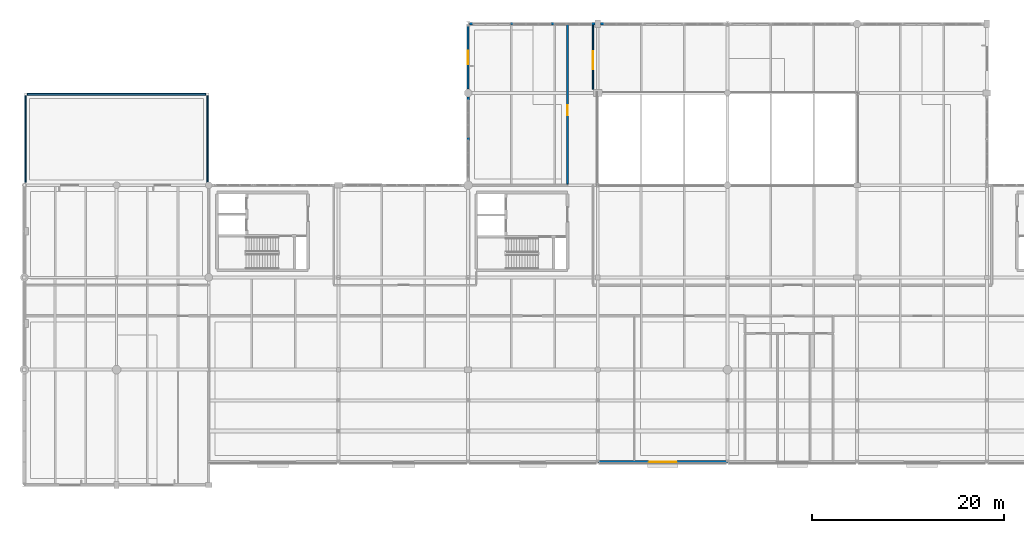
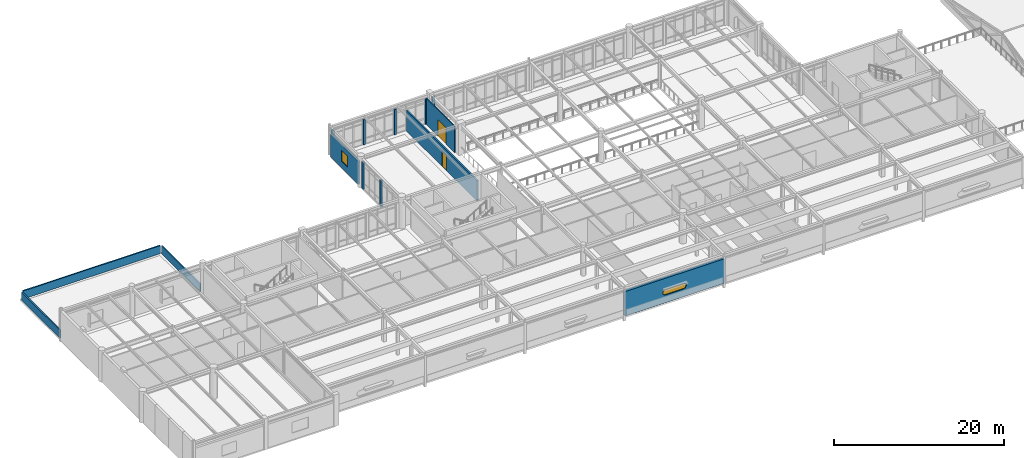
# One storey, part 48 of 61: 14 walls, 2 doors, 2 windows, 4 openings.
"""IFC4 building model written with IfcOpenShell, lengths in metres."""

from ifc_helpers import new_model, si_unit, direction, frame, frame_2d, origin, place, context, subcontext, project, spatial, polyline, rectangle, outline, extrude, material, layer, layer_set, type_object, element, fill, save


model = new_model("IFC4")

# Units and contexts
model_context = context("Model", 3, precision=1e-05, world=origin(), true_north=direction((0.0, 1.0)))
body_context = subcontext(model_context, "Body", "Model", "MODEL_VIEW")
ifc_project = project(units=[si_unit("LENGTHUNIT", "METRE"), si_unit("AREAUNIT", "SQUARE_METRE"), si_unit("VOLUMEUNIT", "CUBIC_METRE"), si_unit("PLANEANGLEUNIT", "RADIAN"), si_unit("MASSUNIT", "GRAM", prefix="KILO")], contexts=[model_context])

# Site, building, storey
site_placement = place(None, origin())
site = spatial("IfcSite", under=ifc_project, at=site_placement, CompositionType="ELEMENT")
building_placement = place(site_placement, origin())
building = spatial("IfcBuilding", under=site, at=building_placement, Name="Fikremerkos Civic Library", CompositionType="ELEMENT")
storey_placement = place(building_placement, frame((0.0, 0.0, 14.39990234375)))
storey = spatial("IfcBuildingStorey", under=building, at=storey_placement, Name="L03", CompositionType="ELEMENT", Elevation=14.39990234375)

# Wall, opening, window
ifc_material_1 = material(Name="Precast concrete C40/50", Category="concrete")
ifc_layer_1 = layer(ifc_material_1, 0.280029296875, Name="Precast concrete C40/50")
ifc_layer_set_1 = layer_set([ifc_layer_1], Name="Precast concrete C40/50")
wall_type_1 = type_object("IfcWallType", Name="Exterior solid wall ESW-04 280", PredefinedType="SOLIDWALL", material=ifc_layer_set_1)
wall_1_placement = place(storey_placement, frame((73.197998046875, 2.39990234375, 0.0), z_axis=(0.0, 0.0, 1.0), x_axis=(-1.0, 0.0, 0.0)))
wall_1 = element("IfcWall", 1, at=wall_1_placement, inside=storey, type_object=wall_type_1, Name="Cantilever concrete band wall ESW-04 L03 #598", PredefinedType="SOLIDWALL", context=body_context, shape_type="SweptSolid", body=[
    extrude(rectangle(XDim=13.49609375, YDim=0.280029296875, at=frame_2d((6.748046875, 0.0))), origin(), (0.0, 0.0, 1.0), 3.5),
])
opening_1_placement = place(wall_1_placement, frame((5.14794921875, 0.0, 1.10009765625)))
opening_1 = element("IfcOpeningElement", 2, at=opening_1_placement, cuts=wall_1, Name="Opening SW-06", PredefinedType="OPENING", context=body_context, shape_type="SweptSolid", body=[
    extrude(outline(polyline([(0.39990234375, 0.800048828125), (0.26318359375, 0.77587890625), (0.142822265625, 0.70654296875), (0.0537109375, 0.60009765625), (0.006103515625, 0.469482421875), (0.006103515625, 0.33056640625), (0.0537109375, 0.199951171875), (0.142822265625, 0.093505859375), (0.26318359375, 0.024169921875), (0.39990234375, 0.0), (2.7998046875, 0.0), (2.936767578125, 0.024169921875), (3.05712890625, 0.093505859375), (3.146240234375, 0.199951171875), (3.19384765625, 0.33056640625), (3.19384765625, 0.469482421875), (3.146240234375, 0.60009765625), (3.05712890625, 0.70654296875), (2.936767578125, 0.77587890625), (2.7998046875, 0.800048828125), (0.39990234375, 0.800048828125)])), frame((0.0, 0.14990234375, 0.0), z_axis=(0.0, -1.0, 0.0), x_axis=(1.0, 0.0, 0.0)), (0.0, 0.0, 1.0), 0.300048828125),
])
ifc_material_2 = material(Name="Solar control double glazing", Category="glass")
window_type_1 = type_object("IfcWindowType", Name="Facade slot window SW-06 3200x800", PartitioningType="SINGLE_PANEL", PredefinedType="WINDOW", material=ifc_material_2)
window_1_placement = place(opening_1_placement, origin())
window_1 = element("IfcWindow", 3, at=window_1_placement, inside=storey, type_object=window_type_1, Name="Rounded-end facade slot window SW-06 L03 #18", OverallHeight=0.800048828125, OverallWidth=3.199951171875, PartitioningType="SINGLE_PANEL", PredefinedType="WINDOW", context=body_context, shape_type="SweptSolid", body=[
    extrude(outline(polyline([(0.39990234375, 0.800048828125), (0.26318359375, 0.77587890625), (0.142822265625, 0.70654296875), (0.0537109375, 0.60009765625), (0.006103515625, 0.469482421875), (0.006103515625, 0.33056640625), (0.0537109375, 0.199951171875), (0.142822265625, 0.093505859375), (0.26318359375, 0.024169921875), (0.39990234375, 0.0), (2.7998046875, 0.0), (2.936767578125, 0.024169921875), (3.05712890625, 0.093505859375), (3.146240234375, 0.199951171875), (3.19384765625, 0.33056640625), (3.19384765625, 0.469482421875), (3.146240234375, 0.60009765625), (3.05712890625, 0.70654296875), (2.936767578125, 0.77587890625), (2.7998046875, 0.800048828125), (0.39990234375, 0.800048828125)])), frame((0.0, 0.032470703125, 0.0), z_axis=(0.0, -1.0, 0.0), x_axis=(1.0, 0.0, 0.0)), (0.0, 0.0, 1.0), 0.06494140625),
])
fill(opening_1, window_1)

# Walls
ifc_layer_2 = layer(ifc_material_1, 0.25, Name="Precast concrete C40/50")
ifc_layer_set_2 = layer_set([ifc_layer_2], Name="Precast concrete C40/50")
wall_type_2 = type_object("IfcWallType", Name="Exterior solid wall ESW-05 250", PredefinedType="SOLIDWALL", material=ifc_layer_set_2)
wall_2_placement = place(storey_placement, frame((46.199951171875, 40.052001953125, 0.0), z_axis=(0.0, 0.0, 1.0), x_axis=(0.0, 1.0, 0.0)))
element("IfcWall", 4, at=wall_2_placement, inside=storey, type_object=wall_type_2, Name="Exterior facade pier ESW-05 #563", PredefinedType="SOLIDWALL", context=body_context, shape_type="SweptSolid", body=[
    extrude(rectangle(XDim=0.35009765625, YDim=0.25, at=frame_2d((0.175048828125, 0.0))), origin(), (0.0, 0.0, 1.0), 3.820068359375),
])
wall_3_placement = place(storey_placement, frame((46.199951171875, 35.875, 0.0), z_axis=(0.0, 0.0, 1.0), x_axis=(0.0, 1.0, 0.0)))
element("IfcWall", 5, at=wall_3_placement, inside=storey, type_object=wall_type_2, Name="Exterior facade mullion pier ESW-05 #564", PredefinedType="SOLIDWALL", context=body_context, shape_type="SweptSolid", body=[
    extrude(rectangle(XDim=0.300048828125, YDim=0.25, at=frame_2d((0.14990234375, 0.0))), origin(), (0.0, 0.0, 1.0), 3.820068359375),
])
for number, where, z_axis, x_axis, name in (
    (6, (46.347900390625, 48.0, 0.0), (0.0, 0.0, 1.0), (1.0, 0.0, 0.0), "Exterior facade pier ESW-05 #566"),
    (7, (59.052001953125, 48.0, 0.0), (0.0, 0.0, 1.0), (1.0, 0.0, 0.0), "Exterior facade pier ESW-05 #567"),
):
    element("IfcWall", number, at=place(storey_placement, frame(where, z_axis=z_axis, x_axis=x_axis)), inside=storey, type_object=wall_type_2, Name=name, PredefinedType="SOLIDWALL", context=body_context, shape_type="SweptSolid", body=[
        extrude(rectangle(XDim=0.35009765625, YDim=0.25, at=frame_2d((0.175048828125, 0.0))), origin(), (0.0, 0.0, 1.0), 3.610107421875),
    ])
for number, where, z_axis, x_axis, name in (
    (8, (50.615966796875, 48.0, 0.0), (0.0, 0.0, 1.0), (1.0, 0.0, 0.0), "Exterior facade mullion pier ESW-05 #568"),
    (9, (54.833984375, 48.0, 0.0), (0.0, 0.0, 1.0), (1.0, 0.0, 0.0), "Exterior facade mullion pier ESW-05 #569"),
):
    element("IfcWall", number, at=place(storey_placement, frame(where, z_axis=z_axis, x_axis=x_axis)), inside=storey, type_object=wall_type_2, Name=name, PredefinedType="SOLIDWALL", context=body_context, shape_type="SweptSolid", body=[
        extrude(rectangle(XDim=0.300048828125, YDim=0.25, at=frame_2d((0.14990234375, 0.0))), origin(), (0.0, 0.0, 1.0), 3.610107421875),
    ])
wall_4_placement = place(storey_placement, frame((59.998046875, 48.0, 0.0), z_axis=(0.0, 0.0, 1.0), x_axis=(1.0, 0.0, 0.0)))
element("IfcWall", 10, at=wall_4_placement, inside=storey, type_object=wall_type_2, Name="Exterior facade pier ESW-05 #570", PredefinedType="SOLIDWALL", context=body_context, shape_type="SweptSolid", body=[
    extrude(rectangle(XDim=0.349853515625, YDim=0.25, at=frame_2d((0.1748046875, 0.0))), origin(), (0.0, 0.0, 1.0), 3.610107421875),
])

# Wall, opening, window
ifc_layer_3 = layer(ifc_material_1, 0.219970703125, Name="Precast concrete C40/50")
ifc_layer_set_3 = layer_set([ifc_layer_3], Name="Precast concrete C40/50")
wall_type_3 = type_object("IfcWallType", Name="Exterior solid wall ESW-06 220", PredefinedType="SOLIDWALL", material=ifc_layer_set_3)
wall_5_placement = place(storey_placement, frame((46.199951171875, 41.197998046875, 0.0), z_axis=(0.0, 0.0, 1.0), x_axis=(0.0, 1.0, 0.0)))
wall_5 = element("IfcWall", 11, at=wall_5_placement, inside=storey, type_object=wall_type_3, Name="Exterior solid wall ESW-06 L03 #565", PredefinedType="SOLIDWALL", context=body_context, shape_type="SweptSolid", body=[
    extrude(rectangle(XDim=6.5791015625, YDim=0.219970703125, at=frame_2d((3.28955078125, 0.0))), origin(), (0.0, 0.0, 1.0), 3.320068359375),
])
opening_2_placement = place(wall_5_placement, frame((2.589599609375, 0.0, 0.949951171875)))
opening_2 = element("IfcOpeningElement", 12, at=opening_2_placement, cuts=wall_5, Name="Opening CWND-06", PredefinedType="OPENING", context=body_context, shape_type="SweptSolid", body=[
    extrude(rectangle(XDim=1.39990234375, YDim=1.550048828125, at=frame_2d((0.699951171875, 0.77490234375))), frame((0.0, 0.119873046875, 0.0), z_axis=(0.0, -1.0, 0.0), x_axis=(1.0, 0.0, 0.0)), (0.0, 0.0, 1.0), 0.239990234375),
])
window_type_2 = type_object("IfcWindowType", Name="Courtyard window CWND-06 1400x1550", PartitioningType="SINGLE_PANEL", PredefinedType="WINDOW", material=ifc_material_2)
window_2_placement = place(opening_2_placement, origin())
window_2 = element("IfcWindow", 13, at=window_2_placement, inside=storey, type_object=window_type_2, Name="Courtyard window CWND-06 L03 #38", OverallHeight=1.550048828125, OverallWidth=1.39990234375, PartitioningType="SINGLE_PANEL", PredefinedType="WINDOW", context=body_context, shape_type="SweptSolid", body=[
    extrude(rectangle(XDim=1.39990234375, YDim=1.550048828125, at=frame_2d((0.699951171875, 0.77490234375))), frame((0.0, 0.032470703125, 0.0), z_axis=(0.0, -1.0, 0.0), x_axis=(1.0, 0.0, 0.0)), (0.0, 0.0, 1.0), 0.06494140625),
])
fill(opening_2, window_2)

# Wall, opening, door
ifc_material_3 = material(Name="Acoustic concrete blockwork", Category="masonry")
ifc_layer_4 = layer(ifc_material_3, 0.18994140625, Name="Acoustic concrete blockwork")
ifc_layer_set_4 = layer_set([ifc_layer_4], Name="Acoustic concrete blockwork")
wall_type_4 = type_object("IfcWallType", Name="Interior partition wall IPW-01 190", PredefinedType="PARTITIONING", material=ifc_layer_set_4)
wall_6_placement = place(storey_placement, frame((56.550048828125, 31.304931640625, 0.0), z_axis=(0.0, 0.0, 1.0), x_axis=(0.0, 1.0, 0.0)))
wall_6 = element("IfcWall", 14, at=wall_6_placement, inside=storey, type_object=wall_type_4, Name="Interior wall IPW-01 L03 #224", PredefinedType="PARTITIONING", context=body_context, shape_type="SweptSolid", body=[
    extrude(rectangle(XDim=16.612060546875, YDim=0.18994140625, at=frame_2d((8.30615234375, 0.0))), origin(), (0.0, 0.0, 1.0), 2.9501953125),
])
opening_3_placement = place(wall_6_placement, frame((7.195068359375, 0.0, 0.0)))
opening_3 = element("IfcOpeningElement", 15, at=opening_3_placement, cuts=wall_6, Name="Opening D239", PredefinedType="OPENING", context=body_context, shape_type="SweptSolid", body=[
    extrude(rectangle(XDim=1.0, YDim=2.199951171875, at=frame_2d((0.5, 1.10009765625))), frame((0.0, 0.10498046875, 0.0), z_axis=(0.0, -1.0, 0.0), x_axis=(1.0, 0.0, 0.0)), (0.0, 0.0, 1.0), 0.2099609375),
])
ifc_material_4 = material(Name="Hardwood timber and acoustic glass", Category="wood")
door_type_1 = type_object("IfcDoorType", Name="Pedestrian door DT-01 1000x2200", OperationType="NOTDEFINED", PredefinedType="DOOR", material=ifc_material_4)
door_1_placement = place(opening_3_placement, origin())
door_1 = element("IfcDoor", 16, at=door_1_placement, inside=storey, type_object=door_type_1, Name="Interior door D239 L03", OperationType="SINGLE_SWING_LEFT", OverallHeight=2.199951171875, OverallWidth=1.0, PredefinedType="DOOR", context=body_context, shape_type="SweptSolid", body=[
    extrude(rectangle(XDim=1.0, YDim=2.199951171875, at=frame_2d((0.5, 1.10009765625))), frame((0.0, 0.032470703125, 0.0), z_axis=(0.0, -1.0, 0.0), x_axis=(1.0, 0.0, 0.0)), (0.0, 0.0, 1.0), 0.06494140625),
])
fill(opening_3, door_1)

ifc_material_5 = material(Name="Gypsum metal stud partition")
ifc_layer_5 = layer(ifc_material_5, 0.1298828125, Name="Gypsum metal stud partition")
ifc_layer_set_5 = layer_set([ifc_layer_5], Name="Gypsum metal stud partition")
wall_type_5 = type_object("IfcWallType", Name="Interior partition wall IPW-03 130", PredefinedType="PARTITIONING", material=ifc_layer_set_5)
wall_7_placement = place(storey_placement, frame((59.199951171875, 41.199951171875, 0.0), z_axis=(0.0, 0.0, 1.0), x_axis=(0.0, 1.0, 0.0)))
wall_7 = element("IfcWall", 17, at=wall_7_placement, inside=storey, type_object=wall_type_5, Name="Interior wall IPW-03 L03 #226", PredefinedType="PARTITIONING", context=body_context, shape_type="SweptSolid", body=[
    extrude(rectangle(XDim=6.671142578125, YDim=0.1298828125, at=frame_2d((3.33544921875, 0.0))), origin(), (0.0, 0.0, 1.0), 3.760009765625),
])
opening_4_placement = place(wall_7_placement, frame((2.074951171875, 0.0, 0.0)))
opening_4 = element("IfcOpeningElement", 18, at=opening_4_placement, cuts=wall_7, Name="Opening D240", PredefinedType="OPENING", context=body_context, shape_type="SweptSolid", body=[
    extrude(rectangle(XDim=1.85009765625, YDim=2.35009765625, at=frame_2d((0.925048828125, 1.175048828125))), frame((0.0, 0.074951171875, 0.0), z_axis=(0.0, -1.0, 0.0), x_axis=(1.0, 0.0, 0.0)), (0.0, 0.0, 1.0), 0.14990234375),
])
door_type_2 = type_object("IfcDoorType", Name="Pedestrian door DT-09 1850x2350", OperationType="NOTDEFINED", PredefinedType="DOOR", material=ifc_material_4)
door_2_placement = place(opening_4_placement, origin())
door_2 = element("IfcDoor", 19, at=door_2_placement, inside=storey, type_object=door_type_2, Name="Interior door D240 L03", OperationType="SINGLE_SWING_RIGHT", OverallHeight=2.35009765625, OverallWidth=1.85009765625, PredefinedType="DOOR", context=body_context, shape_type="SweptSolid", body=[
    extrude(rectangle(XDim=1.85009765625, YDim=2.35009765625, at=frame_2d((0.925048828125, 1.175048828125))), frame((0.0, 0.032470703125, 0.0), z_axis=(0.0, -1.0, 0.0), x_axis=(1.0, 0.0, 0.0)), (0.0, 0.0, 1.0), 0.06494140625),
])
fill(opening_4, door_2)

# Walls
ifc_layer_6 = layer(ifc_material_1, 0.179931640625, Name="Precast concrete C40/50")
ifc_layer_set_6 = layer_set([ifc_layer_6], Name="Precast concrete C40/50")
wall_type_6 = type_object("IfcWallType", Name="Roof parapet wall PAR-01 180", PredefinedType="PARAPET", material=ifc_layer_set_6)
wall_8_placement = place(storey_placement, frame((0.300048828125, 40.679931640625, 0.0), z_axis=(0.0, 0.0, 1.0), x_axis=(1.0, 0.0, 0.0)))
element("IfcWall", 20, at=wall_8_placement, inside=storey, type_object=wall_type_6, Name="Roof parapet wall PAR-01 RF-L03-V5M N", PredefinedType="PARAPET", context=body_context, shape_type="SweptSolid", body=[
    extrude(rectangle(XDim=18.599853515625, YDim=0.179931640625, at=frame_2d((9.2998046875, 0.0))), origin(), (0.0, 0.0, 1.0), 1.150146484375),
])
for number, where, z_axis, x_axis, name in (
    (21, (0.1201171875, 31.5, 0.0), (0.0, 0.0, 1.0), (0.0, 1.0, 0.0), "Roof parapet wall PAR-01 RF-L03-V5M W"),
    (22, (19.080078125, 31.5, 0.0), (0.0, 0.0, 1.0), (0.0, 1.0, 0.0), "Roof parapet wall PAR-01 RF-L03-V5M E"),
):
    element("IfcWall", number, at=place(storey_placement, frame(where, z_axis=z_axis, x_axis=x_axis)), inside=storey, type_object=wall_type_6, Name=name, PredefinedType="PARAPET", context=body_context, shape_type="SweptSolid", body=[
        extrude(rectangle(XDim=9.0, YDim=0.179931640625, at=frame_2d((4.5, 0.0))), origin(), (0.0, 0.0, 1.0), 1.150146484375),
    ])

save(model, "model.ifc")
